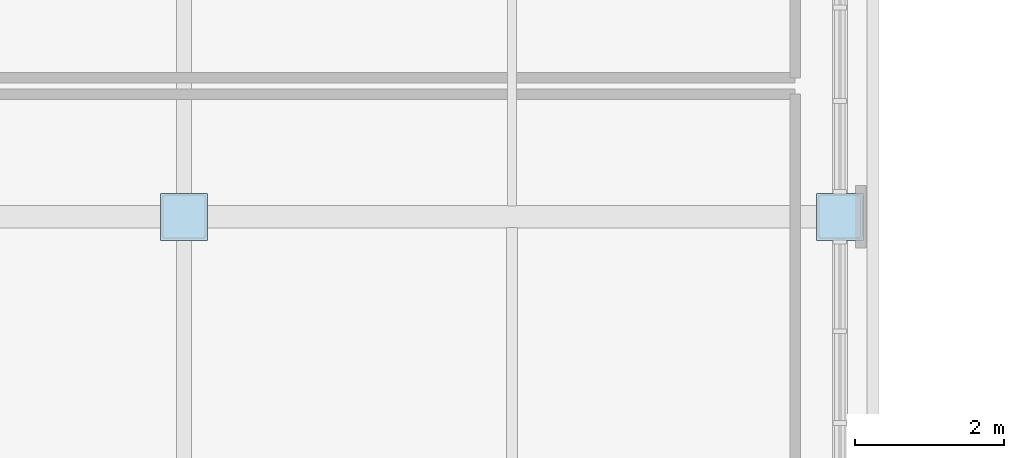
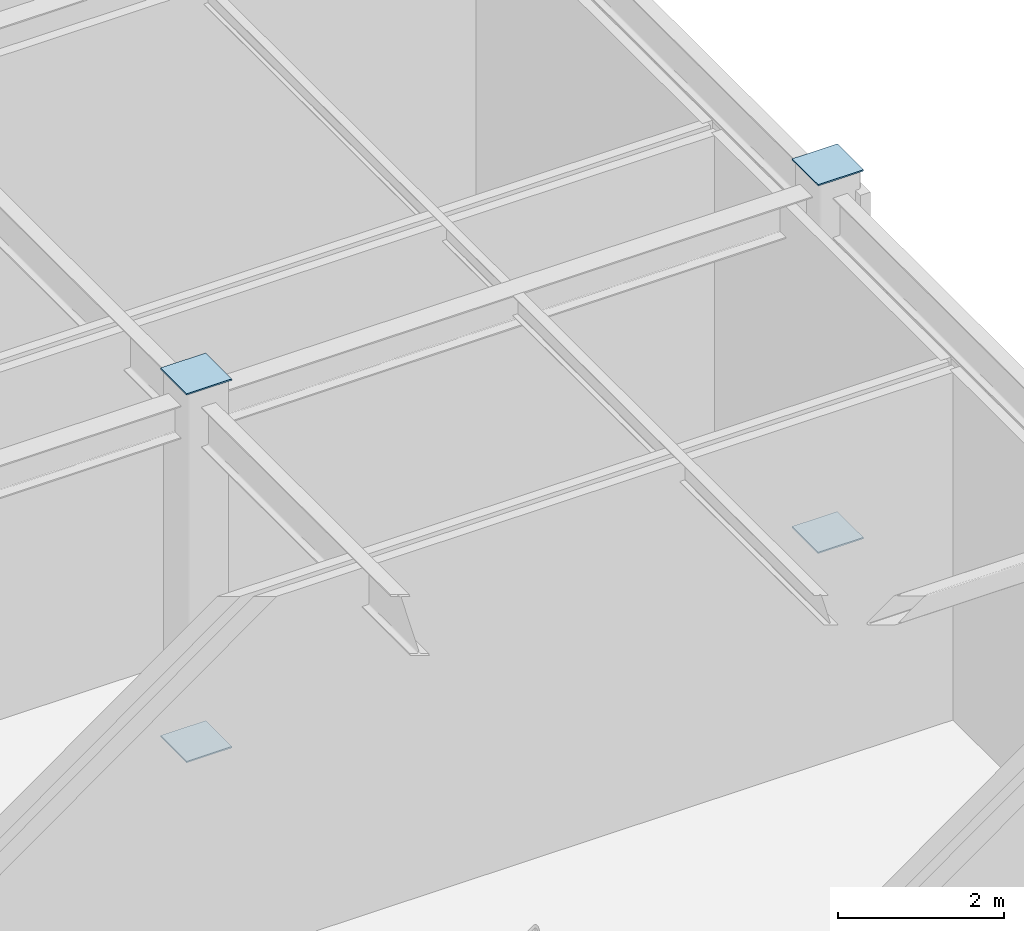
# One storey, part 136 of 184: 4 plates.
"""IFC4 building model written with IfcOpenShell, lengths in metres."""

from ifc_helpers import new_model, si_unit, direction, frame, origin, origin_2d, place, context, subcontext, project, spatial, rectangle, extrude, material, layer, layer_set, type_object, element, save


model = new_model("IFC4")

# Units and contexts
model_context = context("Model", 3, precision=1e-05, world=origin(), true_north=direction((0.0, 1.0)))
body_context = subcontext(model_context, "Body", "Model", "MODEL_VIEW")
ifc_project = project(units=[si_unit("LENGTHUNIT", "METRE"), si_unit("AREAUNIT", "SQUARE_METRE"), si_unit("VOLUMEUNIT", "CUBIC_METRE"), si_unit("PLANEANGLEUNIT", "RADIAN"), si_unit("MASSUNIT", "GRAM", prefix="KILO")], contexts=[model_context])

# Site, building, storey
site_placement = place(None, origin())
site = spatial("IfcSite", under=ifc_project, at=site_placement, CompositionType="ELEMENT")
building_placement = place(site_placement, origin())
building = spatial("IfcBuilding", under=site, at=building_placement, Name="Zhaolan Boulevard Law Courts", CompositionType="ELEMENT")
storey_placement = place(building_placement, frame((0.0, 0.0, 5.39990234375)))
storey = spatial("IfcBuildingStorey", under=building, at=storey_placement, Name="L01", CompositionType="ELEMENT", Elevation=5.39990234375)

# Plates
ifc_material = material(Name="Structural steel Q355B", Category="steel")
ifc_layer = layer(ifc_material, 0.02001953125)
ifc_layer_set = layer_set([ifc_layer])
plate_type = type_object("IfcPlateType", Name="END CAP PLATE 20", PredefinedType="SHEET", material=ifc_layer_set)
for number, where, z_axis, x_axis, name in (
    (1, (35.199951171875, 70.0, -0.017822265625), (0.0, 0.0, 1.0), (1.0, 0.0, 0.0), "Hollow Section End-Cap Plate ECP-0469"),
    (2, (35.199951171875, 70.0, 5.398193359375), (0.0, 0.0, 1.0), (1.0, 0.0, 0.0), "Hollow Section End-Cap Plate ECP-0470"),
    (3, (44.0, 70.0, -0.017822265625), (0.0, 0.0, 1.0), (1.0, 0.0, 0.0), "Hollow Section End-Cap Plate ECP-0581"),
    (4, (44.0, 70.0, 5.398193359375), (0.0, 0.0, 1.0), (1.0, 0.0, 0.0), "Hollow Section End-Cap Plate ECP-0582"),
):
    element("IfcPlate", number, at=place(storey_placement, frame(where, z_axis=z_axis, x_axis=x_axis)), inside=storey, type_object=plate_type, Name=name, PredefinedType="SHEET", context=body_context, shape_type="SweptSolid", body=[
        extrude(rectangle(XDim=0.6298828125, YDim=0.6298828125, at=origin_2d()), origin(), (0.0, 0.0, 1.0), 0.02001953125),
    ])

save(model, "model.ifc")
